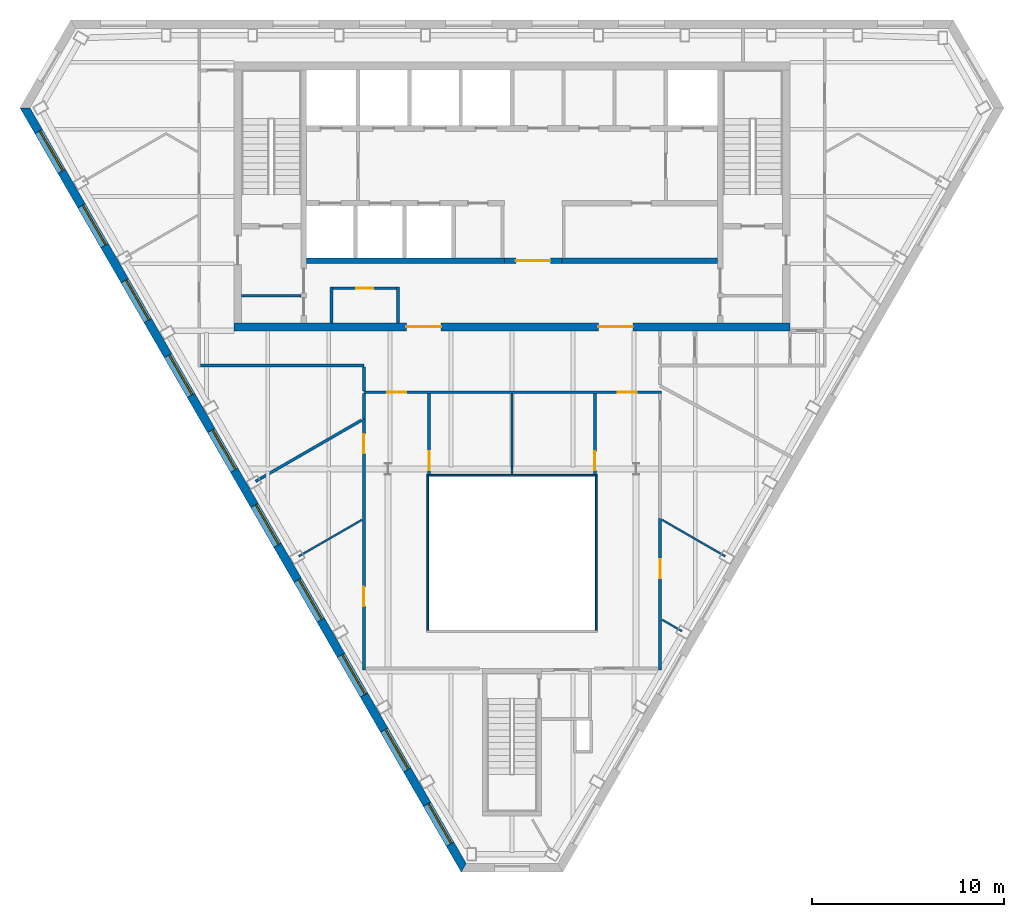
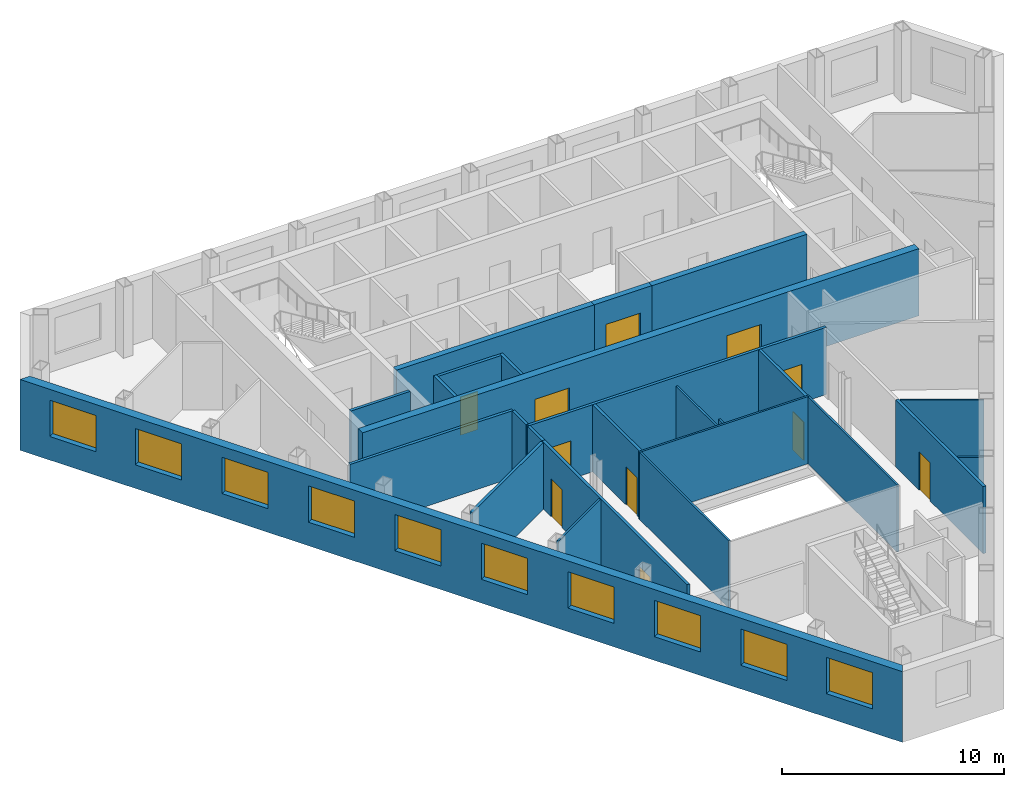
# One storey, part 4 of 10: 26 walls, 11 doors, 10 windows, 21 openings.
"""IFC4 building model written with IfcOpenShell, lengths in metres."""

from ifc_helpers import new_model, si_unit, direction, frame, frame_2d, origin, place, context, subcontext, project, spatial, polyline, rectangle, outline, extrude, material, layer, layer_set, type_object, element, fill, save


model = new_model("IFC4")

# Units and contexts
model_context = context("Model", 3, precision=1e-05, world=origin(), true_north=direction((0.0, 1.0)))
body_context = subcontext(model_context, "Body", "Model", "MODEL_VIEW")
ifc_project = project(units=[si_unit("LENGTHUNIT", "METRE"), si_unit("AREAUNIT", "SQUARE_METRE"), si_unit("VOLUMEUNIT", "CUBIC_METRE"), si_unit("PLANEANGLEUNIT", "RADIAN"), si_unit("MASSUNIT", "GRAM", prefix="KILO")], contexts=[model_context])

# Site, building, storey
site_placement = place(None, origin())
site = spatial("IfcSite", under=ifc_project, at=site_placement, CompositionType="ELEMENT")
building_placement = place(site_placement, origin())
building = spatial("IfcBuilding", under=site, at=building_placement, Name="Njiva Tower", CompositionType="ELEMENT")
storey_placement = place(building_placement, frame((0.0, 0.0, 284.4)))
storey = spatial("IfcBuildingStorey", under=building, at=storey_placement, Name="L65", CompositionType="ELEMENT", Elevation=284.4)

# Walls
ifc_material_1 = material(Name="Blockwork", Category="masonry")
ifc_layer_1 = layer(ifc_material_1, 0.15)
ifc_layer_set_1 = layer_set([ifc_layer_1], Name="Blockwork")
wall_type_1 = type_object("IfcWallType", Name="WT1 Compartment partition 150", PredefinedType="PARTITIONING", material=ifc_layer_set_1)
wall_1_placement = place(storey_placement, frame((-14.1, 5.825, 0.0), z_axis=(0.0, 0.0, 1.0), x_axis=(1.0, 0.0, 0.0)))
element("IfcWall", 1, at=wall_1_placement, inside=storey, type_object=wall_type_1, Name="Room wall A", PredefinedType="PARTITIONING", context=body_context, shape_type="SweptSolid", body=[
    extrude(rectangle(XDim=3.1, YDim=0.15, at=frame_2d((1.55, 0.0))), origin(), (0.0, 0.0, 1.0), 3.7),
])
for number, where, z_axis, x_axis, name in (
    (2, (-9.4, 4.4, 0.0), (0.0, 0.0, 1.0), (0.0, 1.0, 0.0), "Parcel room wall west"),
    (3, (-5.95, 4.4, 0.0), (0.0, 0.0, 1.0), (0.0, 1.0, 0.0), "Parcel room wall east"),
):
    element("IfcWall", number, at=place(storey_placement, frame(where, z_axis=z_axis, x_axis=x_axis)), inside=storey, type_object=wall_type_1, Name=name, PredefinedType="PARTITIONING", context=body_context, shape_type="SweptSolid", body=[
        extrude(rectangle(XDim=1.895, YDim=0.15, at=frame_2d((0.9475, 0.0))), origin(), (0.0, 0.0, 1.0), 3.7),
    ])

# Wall, opening, door
wall_2_placement = place(storey_placement, frame((-9.325, 6.22, 0.0), z_axis=(0.0, 0.0, 1.0), x_axis=(1.0, 0.0, 0.0)))
wall_2 = element("IfcWall", 4, at=wall_2_placement, inside=storey, type_object=wall_type_1, Name="Parcel room wall north", PredefinedType="PARTITIONING", context=body_context, shape_type="SweptSolid", body=[
    extrude(rectangle(XDim=3.3, YDim=0.15, at=frame_2d((1.65, 0.0))), origin(), (0.0, 0.0, 1.0), 3.7),
])
opening_1_placement = place(wall_2_placement, frame((1.2, 0.0, 0.0)))
opening_1 = element("IfcOpeningElement", 5, at=opening_1_placement, cuts=wall_2, Name="Opening S21-D924", PredefinedType="OPENING", context=body_context, shape_type="SweptSolid", body=[
    extrude(rectangle(XDim=0.9, YDim=2.1, at=frame_2d((0.45, 1.05))), frame((0.0, 0.085, 0.0), z_axis=(0.0, -1.0, 0.0), x_axis=(1.0, 0.0, 0.0)), (0.0, 0.0, 1.0), 0.17),
])
ifc_material_2 = material(Name="Steel fire door, painted", Category="steel")
door_type_1 = type_object("IfcDoorType", Name="D6 Fire-rated door 900x2100", OperationType="SINGLE_SWING_LEFT", PredefinedType="DOOR", material=ifc_material_2)
door_1_placement = place(opening_1_placement, origin())
door_1 = element("IfcDoor", 6, at=door_1_placement, inside=storey, type_object=door_type_1, Name="Parcel room door", OperationType="SINGLE_SWING_RIGHT", OverallHeight=2.1, OverallWidth=0.9, PredefinedType="DOOR", context=body_context, shape_type="SweptSolid", body=[
    extrude(rectangle(XDim=0.9, YDim=2.1, at=frame_2d((0.45, 1.05))), frame((0.0, 0.025, 0.0), z_axis=(0.0, -1.0, 0.0), x_axis=(1.0, 0.0, 0.0)), (0.0, 0.0, 1.0), 0.05),
])
fill(opening_1, door_1)

# Wall, openings, doors
ifc_material_3 = material(Name="Concrete C60/75", Category="concrete")
ifc_layer_2 = layer(ifc_material_3, 0.4)
ifc_layer_set_2 = layer_set([ifc_layer_2], Name="Concrete C60/75")
wall_type_2 = type_object("IfcWallType", Name="WT11 Core wall 400", PredefinedType="SHEAR", material=ifc_layer_set_2)
wall_3_placement = place(storey_placement, frame((-14.5, 4.2, 0.0), z_axis=(0.0, 0.0, 1.0), x_axis=(1.0, 0.0, 0.0)))
wall_3 = element("IfcWall", 7, at=wall_3_placement, inside=storey, type_object=wall_type_2, Name="Core wall south", PredefinedType="SHEAR", context=body_context, shape_type="SweptSolid", body=[
    extrude(rectangle(XDim=29.0, YDim=0.4, at=frame_2d((14.5, 0.0))), origin(), (0.0, 0.0, 1.0), 3.7),
])
opening_2_placement = place(wall_3_placement, frame((9.0, 0.0, 0.0)))
opening_2 = element("IfcOpeningElement", 8, at=opening_2_placement, cuts=wall_3, Name="Opening S21-D926", PredefinedType="OPENING", context=body_context, shape_type="SweptSolid", body=[
    extrude(rectangle(XDim=1.8, YDim=2.4, at=frame_2d((0.9, 1.2))), frame((0.0, 0.21, 0.0), z_axis=(0.0, -1.0, 0.0), x_axis=(1.0, 0.0, 0.0)), (0.0, 0.0, 1.0), 0.42),
])
opening_3_placement = place(wall_3_placement, frame((19.0, 0.0, 0.0)))
opening_3 = element("IfcOpeningElement", 9, at=opening_3_placement, cuts=wall_3, Name="Opening S21-D927", PredefinedType="OPENING", context=body_context, shape_type="SweptSolid", body=[
    extrude(rectangle(XDim=1.8, YDim=2.4, at=frame_2d((0.9, 1.2))), frame((0.0, 0.21, 0.0), z_axis=(0.0, -1.0, 0.0), x_axis=(1.0, 0.0, 0.0)), (0.0, 0.0, 1.0), 0.42),
])
ifc_material_4 = material(Name="Steel and glass door", Category="steel")
door_type_2 = type_object("IfcDoorType", Name="D3 Core entrance door 1800x2400", OperationType="DOUBLE_DOOR_SINGLE_SWING", PredefinedType="DOOR", material=ifc_material_4)
door_2_placement = place(opening_2_placement, origin())
door_2 = element("IfcDoor", 10, at=door_2_placement, inside=storey, type_object=door_type_2, Name="Core entrance door", OperationType="DOUBLE_DOOR_SINGLE_SWING", OverallHeight=2.4, OverallWidth=1.8, PredefinedType="DOOR", context=body_context, shape_type="SweptSolid", body=[
    extrude(rectangle(XDim=1.8, YDim=2.4, at=frame_2d((0.9, 1.2))), frame((0.0, 0.025, 0.0), z_axis=(0.0, -1.0, 0.0), x_axis=(1.0, 0.0, 0.0)), (0.0, 0.0, 1.0), 0.05),
])
fill(opening_2, door_2)
door_3_placement = place(opening_3_placement, origin())
door_3 = element("IfcDoor", 11, at=door_3_placement, inside=storey, type_object=door_type_2, Name="Core entrance door", OperationType="DOUBLE_DOOR_SINGLE_SWING", OverallHeight=2.4, OverallWidth=1.8, PredefinedType="DOOR", context=body_context, shape_type="SweptSolid", body=[
    extrude(rectangle(XDim=1.8, YDim=2.4, at=frame_2d((0.9, 1.2))), frame((0.0, 0.025, 0.0), z_axis=(0.0, -1.0, 0.0), x_axis=(1.0, 0.0, 0.0)), (0.0, 0.0, 1.0), 0.05),
])
fill(opening_3, door_3)

# Walls
ifc_material_5 = material(Name="Gypsum board on steel studs", Category="gypsum")
ifc_layer_3 = layer(ifc_material_5, 0.1)
ifc_layer_set_3 = layer_set([ifc_layer_3], Name="Gypsum board on steel studs")
wall_type_3 = type_object("IfcWallType", Name="WT20 Gypsum partition 100", PredefinedType="PARTITIONING", material=ifc_layer_set_3)
wall_4_placement = place(storey_placement, frame((-11.112, -7.753, 0.0), z_axis=(0.0, 0.0, 1.0), x_axis=(0.86609797283, 0.499874285655, 0.0)))
element("IfcWall", 12, at=wall_4_placement, inside=storey, type_object=wall_type_3, Name="Partition S21-P009", PredefinedType="PARTITIONING", context=body_context, shape_type="SweptSolid", body=[
    extrude(rectangle(XDim=3.801, YDim=0.1, at=frame_2d((1.9005, 0.0))), origin(), (0.0, 0.0, 1.0), 3.7),
])
wall_5_placement = place(storey_placement, frame((-0.001, 0.725, 0.0), z_axis=(0.0, 0.0, 1.0), x_axis=(0.000235294111, -0.999999972318, 0.0)))
element("IfcWall", 13, at=wall_5_placement, inside=storey, type_object=wall_type_3, Name="Partition S21-P016", PredefinedType="PARTITIONING", context=body_context, shape_type="SweptSolid", body=[
    extrude(rectangle(XDim=3.825, YDim=0.1, at=frame_2d((1.9125, 0.0))), origin(), (0.0, 0.0, 1.0), 3.2),
])
wall_6_placement = place(storey_placement, frame((-0.0001, -3.1, 0.0), z_axis=(0.0, 0.0, 1.0), x_axis=(0.000263157886, -0.999999965374, 0.0)))
element("IfcWall", 14, at=wall_6_placement, inside=storey, type_object=wall_type_3, Name="Partition S21-P016A", PredefinedType="PARTITIONING", context=body_context, shape_type="SweptSolid", body=[
    extrude(rectangle(XDim=0.38, YDim=0.1, at=frame_2d((0.19, 0.0))), origin(), (0.0, 0.0, 1.0), 3.7),
])
wall_7_placement = place(storey_placement, frame((7.82, -5.852, 0.0), z_axis=(0.0, 0.0, 1.0), x_axis=(0.865984062371, -0.500071598593, 0.0)))
element("IfcWall", 15, at=wall_7_placement, inside=storey, type_object=wall_type_3, Name="Partition S21-P026", PredefinedType="PARTITIONING", context=body_context, shape_type="SweptSolid", body=[
    extrude(rectangle(XDim=3.8015, YDim=0.1, at=frame_2d((1.9008, 0.0))), origin(), (0.0, 0.0, 1.0), 3.7),
])
wall_8_placement = place(storey_placement, frame((7.82, -11.058, 0.0), z_axis=(0.0, 0.0, 1.0), x_axis=(0.866130014302, -0.499818765479, 0.0)))
element("IfcWall", 16, at=wall_8_placement, inside=storey, type_object=wall_type_3, Name="Partition S21-P027", PredefinedType="PARTITIONING", context=body_context, shape_type="SweptSolid", body=[
    extrude(rectangle(XDim=1.1984, YDim=0.1, at=frame_2d((0.5992, 0.0))), origin(), (0.0, 0.0, 1.0), 3.7),
])
ifc_layer_4 = layer(ifc_material_5, 0.15)
ifc_layer_set_4 = layer_set([ifc_layer_4], Name="Gypsum board on steel studs")
wall_type_4 = type_object("IfcWallType", Name="WT21 Compartment wall 150", PredefinedType="PARTITIONING", material=ifc_layer_set_4)
wall_9_placement = place(storey_placement, frame((-16.225, 2.2, 0.0), z_axis=(0.0, 0.0, 1.0), x_axis=(1.0, 0.0, 0.0)))
element("IfcWall", 17, at=wall_9_placement, inside=storey, type_object=wall_type_4, Name="Partition S21-P006", PredefinedType="PARTITIONING", context=body_context, shape_type="SweptSolid", body=[
    extrude(rectangle(XDim=8.503, YDim=0.15, at=frame_2d((4.2515, 0.0))), origin(), (0.0, 0.0, 1.0), 3.7),
])
wall_10_placement = place(storey_placement, frame((-13.366, -3.85, 0.0), z_axis=(0.0, 0.0, 1.0), x_axis=(0.865990094875, 0.500061151839, 0.0)))
element("IfcWall", 18, at=wall_10_placement, inside=storey, type_object=wall_type_4, Name="Partition S21-P008", PredefinedType="PARTITIONING", context=body_context, shape_type="SweptSolid", body=[
    extrude(rectangle(XDim=6.3892, YDim=0.15, at=frame_2d((3.1946, 0.0))), origin(), (0.0, 0.0, 1.0), 3.7),
])

# Wall, openings, doors
wall_11_placement = place(storey_placement, frame((-7.72, -13.675, 0.0), z_axis=(0.0, 0.0, 1.0), x_axis=(0.0, 1.0, 0.0)))
wall_11 = element("IfcWall", 19, at=wall_11_placement, inside=storey, type_object=wall_type_4, Name="Partition S21-P010", PredefinedType="PARTITIONING", context=body_context, shape_type="SweptSolid", body=[
    extrude(rectangle(XDim=13.085, YDim=0.15, at=frame_2d((6.5425, 0.0))), origin(), (0.0, 0.0, 1.0), 3.7),
])
opening_4_placement = place(wall_11_placement, frame((3.327, 0.0, 0.0)))
opening_4 = element("IfcOpeningElement", 20, at=opening_4_placement, cuts=wall_11, Name="Opening S21-D005", PredefinedType="OPENING", context=body_context, shape_type="SweptSolid", body=[
    extrude(rectangle(XDim=1.0, YDim=2.1, at=frame_2d((0.5, 1.05))), frame((0.0, 0.085, 0.0), z_axis=(0.0, -1.0, 0.0), x_axis=(1.0, 0.0, 0.0)), (0.0, 0.0, 1.0), 0.17),
])
opening_5_placement = place(wall_11_placement, frame((11.284, 0.0, 0.0)))
opening_5 = element("IfcOpeningElement", 21, at=opening_5_placement, cuts=wall_11, Name="Opening S21-D006", PredefinedType="OPENING", context=body_context, shape_type="SweptSolid", body=[
    extrude(rectangle(XDim=1.0, YDim=2.1, at=frame_2d((0.5, 1.05))), frame((0.0, 0.085, 0.0), z_axis=(0.0, -1.0, 0.0), x_axis=(1.0, 0.0, 0.0)), (0.0, 0.0, 1.0), 0.17),
])
ifc_material_6 = material(Name="Steel fire door set", Category="steel")
door_type_3 = type_object("IfcDoorType", Name="D37 Fire door 1000x2100", OperationType="SINGLE_SWING_LEFT", PredefinedType="DOOR", material=ifc_material_6)
door_4_placement = place(opening_4_placement, origin())
door_4 = element("IfcDoor", 22, at=door_4_placement, inside=storey, type_object=door_type_3, Name="Door S21-D005", OperationType="SINGLE_SWING_RIGHT", OverallHeight=2.1, OverallWidth=1.0, PredefinedType="DOOR", context=body_context, shape_type="SweptSolid", body=[
    extrude(rectangle(XDim=1.0, YDim=2.1, at=frame_2d((0.5, 1.05))), frame((0.0, 0.025, 0.0), z_axis=(0.0, -1.0, 0.0), x_axis=(1.0, 0.0, 0.0)), (0.0, 0.0, 1.0), 0.05),
])
fill(opening_4, door_4)
door_5_placement = place(opening_5_placement, origin())
door_5 = element("IfcDoor", 23, at=door_5_placement, inside=storey, type_object=door_type_3, Name="Door S21-D006", OperationType="SINGLE_SWING_LEFT", OverallHeight=2.1, OverallWidth=1.0, PredefinedType="DOOR", context=body_context, shape_type="SweptSolid", body=[
    extrude(rectangle(XDim=1.0, YDim=2.1, at=frame_2d((0.5, 1.05))), frame((0.0, 0.025, 0.0), z_axis=(0.0, -1.0, 0.0), x_axis=(1.0, 0.0, 0.0)), (0.0, 0.0, 1.0), 0.05),
])
fill(opening_5, door_5)

# Wall
wall_12_placement = place(storey_placement, frame((-7.72, -0.588, 0.0), z_axis=(0.0, 0.0, 1.0), x_axis=(0.0, 1.0, 0.0)))
element("IfcWall", 24, at=wall_12_placement, inside=storey, type_object=wall_type_4, Name="Partition S21-P011", PredefinedType="PARTITIONING", context=body_context, shape_type="SweptSolid", body=[
    extrude(rectangle(XDim=1.313, YDim=0.15, at=frame_2d((0.6565, 0.0))), origin(), (0.0, 0.0, 1.0), 3.7),
])

# Wall, openings, doors
wall_13_placement = place(storey_placement, frame((-7.72, 0.8, 0.0), z_axis=(0.0, 0.0, 1.0), x_axis=(1.0, 0.0, 0.0)))
wall_13 = element("IfcWall", 25, at=wall_13_placement, inside=storey, type_object=wall_type_4, Name="Partition S21-P012", PredefinedType="PARTITIONING", context=body_context, shape_type="SweptSolid", body=[
    extrude(rectangle(XDim=15.515, YDim=0.15, at=frame_2d((7.7575, 0.0))), origin(), (0.0, 0.0, 1.0), 3.7),
])
opening_6_placement = place(wall_13_placement, frame((1.206, 0.0, 0.0)))
opening_6 = element("IfcOpeningElement", 26, at=opening_6_placement, cuts=wall_13, Name="Opening S21-D007", PredefinedType="OPENING", context=body_context, shape_type="SweptSolid", body=[
    extrude(rectangle(XDim=1.0, YDim=2.1, at=frame_2d((0.5, 1.05))), frame((0.0, 0.085, 0.0), z_axis=(0.0, -1.0, 0.0), x_axis=(1.0, 0.0, 0.0)), (0.0, 0.0, 1.0), 0.17),
])
opening_7_placement = place(wall_13_placement, frame((13.234, 0.0, 0.0)))
opening_7 = element("IfcOpeningElement", 27, at=opening_7_placement, cuts=wall_13, Name="Opening S21-D008", PredefinedType="OPENING", context=body_context, shape_type="SweptSolid", body=[
    extrude(rectangle(XDim=1.0, YDim=2.1, at=frame_2d((0.5, 1.05))), frame((0.0, 0.085, 0.0), z_axis=(0.0, -1.0, 0.0), x_axis=(1.0, 0.0, 0.0)), (0.0, 0.0, 1.0), 0.17),
])
door_6_placement = place(opening_6_placement, origin())
door_6 = element("IfcDoor", 28, at=door_6_placement, inside=storey, type_object=door_type_3, Name="Door S21-D007", OperationType="SINGLE_SWING_RIGHT", OverallHeight=2.1, OverallWidth=1.0, PredefinedType="DOOR", context=body_context, shape_type="SweptSolid", body=[
    extrude(rectangle(XDim=1.0, YDim=2.1, at=frame_2d((0.5, 1.05))), frame((0.0, 0.025, 0.0), z_axis=(0.0, -1.0, 0.0), x_axis=(1.0, 0.0, 0.0)), (0.0, 0.0, 1.0), 0.05),
])
fill(opening_6, door_6)
door_7_placement = place(opening_7_placement, origin())
door_7 = element("IfcDoor", 29, at=door_7_placement, inside=storey, type_object=door_type_3, Name="Door S21-D008", OperationType="SINGLE_SWING_LEFT", OverallHeight=2.1, OverallWidth=1.0, PredefinedType="DOOR", context=body_context, shape_type="SweptSolid", body=[
    extrude(rectangle(XDim=1.0, YDim=2.1, at=frame_2d((0.5, 1.05))), frame((0.0, 0.025, 0.0), z_axis=(0.0, -1.0, 0.0), x_axis=(1.0, 0.0, 0.0)), (0.0, 0.0, 1.0), 0.05),
])
fill(opening_7, door_7)

# Wall
wall_14_placement = place(storey_placement, frame((-7.72, 0.875, 0.0), z_axis=(0.0, 0.0, 1.0), x_axis=(0.0, 1.0, 0.0)))
element("IfcWall", 30, at=wall_14_placement, inside=storey, type_object=wall_type_4, Name="Partition S21-P013", PredefinedType="PARTITIONING", context=body_context, shape_type="SweptSolid", body=[
    extrude(rectangle(XDim=1.25, YDim=0.15, at=frame_2d((0.625, 0.0))), origin(), (0.0, 0.0, 1.0), 3.7),
])

# Wall, opening, door
wall_15_placement = place(storey_placement, frame((-4.32, -3.48, 0.0), z_axis=(0.0, 0.0, 1.0), x_axis=(0.0, 1.0, 0.0)))
wall_15 = element("IfcWall", 31, at=wall_15_placement, inside=storey, type_object=wall_type_4, Name="Partition S21-P015", PredefinedType="PARTITIONING", context=body_context, shape_type="SweptSolid", body=[
    extrude(rectangle(XDim=4.205, YDim=0.15, at=frame_2d((2.1025, 0.0))), origin(), (0.0, 0.0, 1.0), 3.7),
])
opening_8_placement = place(wall_15_placement, frame((0.2, 0.0, 0.0)))
opening_8 = element("IfcOpeningElement", 32, at=opening_8_placement, cuts=wall_15, Name="Opening S21-D009", PredefinedType="OPENING", context=body_context, shape_type="SweptSolid", body=[
    extrude(rectangle(XDim=1.0, YDim=2.1, at=frame_2d((0.5, 1.05))), frame((0.0, 0.085, 0.0), z_axis=(0.0, -1.0, 0.0), x_axis=(1.0, 0.0, 0.0)), (0.0, 0.0, 1.0), 0.17),
])
door_8_placement = place(opening_8_placement, origin())
door_8 = element("IfcDoor", 33, at=door_8_placement, inside=storey, type_object=door_type_3, Name="Door S21-D009", OperationType="SINGLE_SWING_LEFT", OverallHeight=2.1, OverallWidth=1.0, PredefinedType="DOOR", context=body_context, shape_type="SweptSolid", body=[
    extrude(rectangle(XDim=1.0, YDim=2.1, at=frame_2d((0.5, 1.05))), frame((0.0, 0.025, 0.0), z_axis=(0.0, -1.0, 0.0), x_axis=(1.0, 0.0, 0.0)), (0.0, 0.0, 1.0), 0.05),
])
fill(opening_8, door_8)

wall_16_placement = place(storey_placement, frame((4.319, 0.725, 0.0), z_axis=(0.0, 0.0, 1.0), x_axis=(0.000237812122, -0.999999971723, 0.0)))
wall_16 = element("IfcWall", 34, at=wall_16_placement, inside=storey, type_object=wall_type_4, Name="Partition S21-P019", PredefinedType="PARTITIONING", context=body_context, shape_type="SweptSolid", body=[
    extrude(rectangle(XDim=4.205, YDim=0.15, at=frame_2d((2.1025, 0.0))), origin(), (0.0, 0.0, 1.0), 3.7),
])
opening_9_placement = place(wall_16_placement, frame((3.005, 0.0, 0.0)))
opening_9 = element("IfcOpeningElement", 35, at=opening_9_placement, cuts=wall_16, Name="Opening S21-D011", PredefinedType="OPENING", context=body_context, shape_type="SweptSolid", body=[
    extrude(rectangle(XDim=1.0, YDim=2.1, at=frame_2d((0.5, 1.05))), frame((0.0, 0.085, 0.0), z_axis=(0.0, -1.0, 0.0), x_axis=(1.0, 0.0, 0.0)), (0.0, 0.0, 1.0), 0.17),
])
door_9_placement = place(opening_9_placement, origin())
door_9 = element("IfcDoor", 36, at=door_9_placement, inside=storey, type_object=door_type_3, Name="Door S21-D011", OperationType="SINGLE_SWING_RIGHT", OverallHeight=2.1, OverallWidth=1.0, PredefinedType="DOOR", context=body_context, shape_type="SweptSolid", body=[
    extrude(rectangle(XDim=1.0, YDim=2.1, at=frame_2d((0.5, 1.05))), frame((0.0, 0.025, 0.0), z_axis=(0.0, -1.0, 0.0), x_axis=(1.0, 0.0, 0.0)), (0.0, 0.0, 1.0), 0.05),
])
fill(opening_9, door_9)

wall_17_placement = place(storey_placement, frame((7.72, -13.675, 0.0), z_axis=(0.0, 0.0, 1.0), x_axis=(0.0, 1.0, 0.0)))
wall_17 = element("IfcWall", 37, at=wall_17_placement, inside=storey, type_object=wall_type_4, Name="Partition S21-P020", PredefinedType="PARTITIONING", context=body_context, shape_type="SweptSolid", body=[
    extrude(rectangle(XDim=7.892, YDim=0.15, at=frame_2d((3.946, 0.0))), origin(), (0.0, 0.0, 1.0), 3.7),
])
opening_10_placement = place(wall_17_placement, frame((4.777, 0.0, 0.0)))
opening_10 = element("IfcOpeningElement", 38, at=opening_10_placement, cuts=wall_17, Name="Opening S21-D012", PredefinedType="OPENING", context=body_context, shape_type="SweptSolid", body=[
    extrude(rectangle(XDim=1.0, YDim=2.1, at=frame_2d((0.5, 1.05))), frame((0.0, 0.085, 0.0), z_axis=(0.0, -1.0, 0.0), x_axis=(1.0, 0.0, 0.0)), (0.0, 0.0, 1.0), 0.17),
])
door_10_placement = place(opening_10_placement, origin())
door_10 = element("IfcDoor", 39, at=door_10_placement, inside=storey, type_object=door_type_3, Name="Door S21-D012", OperationType="SINGLE_SWING_RIGHT", OverallHeight=2.1, OverallWidth=1.0, PredefinedType="DOOR", context=body_context, shape_type="SweptSolid", body=[
    extrude(rectangle(XDim=1.0, YDim=2.1, at=frame_2d((0.5, 1.05))), frame((0.0, 0.025, 0.0), z_axis=(0.0, -1.0, 0.0), x_axis=(1.0, 0.0, 0.0)), (0.0, 0.0, 1.0), 0.05),
])
fill(opening_10, door_10)

ifc_layer_5 = layer(ifc_material_1, 0.3)
ifc_layer_set_5 = layer_set([ifc_layer_5], Name="Blockwork")
wall_type_5 = type_object("IfcWallType", Name="WT5 Lobby partition 300", PredefinedType="PARTITIONING", material=ifc_layer_set_5)
wall_18_placement = place(storey_placement, frame((-0.4, 7.65, 0.0), z_axis=(0.0, 0.0, 1.0), x_axis=(1.0, 0.0, 0.0)))
wall_18 = element("IfcWall", 40, at=wall_18_placement, inside=storey, type_object=wall_type_5, Name="Lift lobby screen wall", PredefinedType="PARTITIONING", context=body_context, shape_type="SweptSolid", body=[
    extrude(rectangle(XDim=3.0, YDim=0.3, at=frame_2d((1.5, 0.0))), origin(), (0.0, 0.0, 1.0), 3.7),
])
opening_11_placement = place(wall_18_placement, frame((0.6, 0.0, 0.0)))
opening_11 = element("IfcOpeningElement", 41, at=opening_11_placement, cuts=wall_18, Name="Opening S21-D925", PredefinedType="OPENING", context=body_context, shape_type="SweptSolid", body=[
    extrude(rectangle(XDim=1.8, YDim=2.4, at=frame_2d((0.9, 1.2))), frame((0.0, 0.16, 0.0), z_axis=(0.0, -1.0, 0.0), x_axis=(1.0, 0.0, 0.0)), (0.0, 0.0, 1.0), 0.32),
])
door_11_placement = place(opening_11_placement, origin())
door_11 = element("IfcDoor", 42, at=door_11_placement, inside=storey, type_object=door_type_2, Name="Core entrance door", OperationType="DOUBLE_DOOR_SINGLE_SWING", OverallHeight=2.4, OverallWidth=1.8, PredefinedType="DOOR", context=body_context, shape_type="SweptSolid", body=[
    extrude(rectangle(XDim=1.8, YDim=2.4, at=frame_2d((0.9, 1.2))), frame((0.0, 0.025, 0.0), z_axis=(0.0, -1.0, 0.0), x_axis=(1.0, 0.0, 0.0)), (0.0, 0.0, 1.0), 0.05),
])
fill(opening_11, door_11)

# Walls
ifc_material_7 = material(Name="Concrete C40/50", Category="concrete")
ifc_layer_6 = layer(ifc_material_7, 0.3)
ifc_layer_set_6 = layer_set([ifc_layer_6], Name="Concrete C40/50")
wall_type_6 = type_object("IfcWallType", Name="WT7 Lift shaft wall 300", PredefinedType="SHEAR", material=ifc_layer_set_6)
wall_19_placement = place(storey_placement, frame((-10.7, 7.65, 0.0), z_axis=(0.0, 0.0, 1.0), x_axis=(1.0, 0.0, 0.0)))
element("IfcWall", 43, at=wall_19_placement, inside=storey, type_object=wall_type_6, Name="Shaft wall south row back W", PredefinedType="SHEAR", context=body_context, shape_type="SweptSolid", body=[
    extrude(rectangle(XDim=10.3, YDim=0.3, at=frame_2d((5.15, 0.0))), origin(), (0.0, 0.0, 1.0), 3.7),
])
wall_20_placement = place(storey_placement, frame((2.6, 7.65, 0.0), z_axis=(0.0, 0.0, 1.0), x_axis=(1.0, 0.0, 0.0)))
element("IfcWall", 44, at=wall_20_placement, inside=storey, type_object=wall_type_6, Name="Shaft wall south row back E", PredefinedType="SHEAR", context=body_context, shape_type="SweptSolid", body=[
    extrude(rectangle(XDim=8.1, YDim=0.3, at=frame_2d((4.05, 0.0))), origin(), (0.0, 0.0, 1.0), 3.7),
])

# Wall, openings, windows
ifc_material_8 = material(Name="Brick masonry", Category="masonry")
ifc_layer_7 = layer(ifc_material_8, 0.45)
ifc_layer_set_7 = layer_set([ifc_layer_7], Name="Brick masonry")
wall_type_7 = type_object("IfcWallType", Name="WT90 Brick pier and spandrel wall 450", PredefinedType="SOLIDWALL", material=ifc_layer_set_7)
wall_21_placement = place(storey_placement, frame((-25.3852, 15.6187, -0.4), z_axis=(0.0, 0.0, 1.0), x_axis=(0.500000711659, -0.866024992908, 0.0)))
wall_21 = element("IfcWall", 45, at=wall_21_placement, inside=storey, type_object=wall_type_7, Name="Facade wall SW", PredefinedType="SOLIDWALL", context=body_context, shape_type="SweptSolid", body=[
    extrude(outline(polyline([(-0.1299, -0.225), (45.87, -0.225), (45.6102, 0.225), (0.1299, 0.225), (-0.1299, -0.225)])), origin(), (0.0, 0.0, 1.0), 3.9),
])
opening_12_placement = place(wall_21_placement, frame((1.4242, 0.0, 1.3)))
opening_12 = element("IfcOpeningElement", 46, at=opening_12_placement, cuts=wall_21, Name="Opening S21-W09", PredefinedType="OPENING", context=body_context, shape_type="SweptSolid", body=[
    extrude(rectangle(XDim=2.4, YDim=2.0, at=frame_2d((1.2, 1.0))), frame((0.0, 0.235, 0.0), z_axis=(0.0, -1.0, 0.0), x_axis=(1.0, 0.0, 0.0)), (0.0, 0.0, 1.0), 0.47),
])
opening_13_placement = place(wall_21_placement, frame((5.8934, 0.0, 1.3)))
opening_13 = element("IfcOpeningElement", 47, at=opening_13_placement, cuts=wall_21, Name="Opening S21-W10", PredefinedType="OPENING", context=body_context, shape_type="SweptSolid", body=[
    extrude(rectangle(XDim=2.4, YDim=2.0, at=frame_2d((1.2, 1.0))), frame((0.0, 0.235, 0.0), z_axis=(0.0, -1.0, 0.0), x_axis=(1.0, 0.0, 0.0)), (0.0, 0.0, 1.0), 0.47),
])
opening_14_placement = place(wall_21_placement, frame((10.401, 0.0, 1.3)))
opening_14 = element("IfcOpeningElement", 48, at=opening_14_placement, cuts=wall_21, Name="Opening S21-W11", PredefinedType="OPENING", context=body_context, shape_type="SweptSolid", body=[
    extrude(rectangle(XDim=2.4, YDim=2.0, at=frame_2d((1.2, 1.0))), frame((0.0, 0.235, 0.0), z_axis=(0.0, -1.0, 0.0), x_axis=(1.0, 0.0, 0.0)), (0.0, 0.0, 1.0), 0.47),
])
opening_15_placement = place(wall_21_placement, frame((14.9087, 0.0, 1.3)))
opening_15 = element("IfcOpeningElement", 49, at=opening_15_placement, cuts=wall_21, Name="Opening S21-W12", PredefinedType="OPENING", context=body_context, shape_type="SweptSolid", body=[
    extrude(rectangle(XDim=2.4, YDim=2.0, at=frame_2d((1.2, 1.0))), frame((0.0, 0.235, 0.0), z_axis=(0.0, -1.0, 0.0), x_axis=(1.0, 0.0, 0.0)), (0.0, 0.0, 1.0), 0.47),
])
opening_16_placement = place(wall_21_placement, frame((19.4163, 0.0, 1.3)))
opening_16 = element("IfcOpeningElement", 50, at=opening_16_placement, cuts=wall_21, Name="Opening S21-W13", PredefinedType="OPENING", context=body_context, shape_type="SweptSolid", body=[
    extrude(rectangle(XDim=2.4, YDim=2.0, at=frame_2d((1.2, 1.0))), frame((0.0, 0.235, 0.0), z_axis=(0.0, -1.0, 0.0), x_axis=(1.0, 0.0, 0.0)), (0.0, 0.0, 1.0), 0.47),
])
opening_17_placement = place(wall_21_placement, frame((23.9239, 0.0, 1.3)))
opening_17 = element("IfcOpeningElement", 51, at=opening_17_placement, cuts=wall_21, Name="Opening S21-W14", PredefinedType="OPENING", context=body_context, shape_type="SweptSolid", body=[
    extrude(rectangle(XDim=2.4, YDim=2.0, at=frame_2d((1.2, 1.0))), frame((0.0, 0.235, 0.0), z_axis=(0.0, -1.0, 0.0), x_axis=(1.0, 0.0, 0.0)), (0.0, 0.0, 1.0), 0.47),
])
opening_18_placement = place(wall_21_placement, frame((28.4315, 0.0, 1.3)))
opening_18 = element("IfcOpeningElement", 52, at=opening_18_placement, cuts=wall_21, Name="Opening S21-W15", PredefinedType="OPENING", context=body_context, shape_type="SweptSolid", body=[
    extrude(rectangle(XDim=2.4, YDim=2.0, at=frame_2d((1.2, 1.0))), frame((0.0, 0.235, 0.0), z_axis=(0.0, -1.0, 0.0), x_axis=(1.0, 0.0, 0.0)), (0.0, 0.0, 1.0), 0.47),
])
opening_19_placement = place(wall_21_placement, frame((32.9391, 0.0, 1.3)))
opening_19 = element("IfcOpeningElement", 53, at=opening_19_placement, cuts=wall_21, Name="Opening S21-W16", PredefinedType="OPENING", context=body_context, shape_type="SweptSolid", body=[
    extrude(rectangle(XDim=2.4, YDim=2.0, at=frame_2d((1.2, 1.0))), frame((0.0, 0.235, 0.0), z_axis=(0.0, -1.0, 0.0), x_axis=(1.0, 0.0, 0.0)), (0.0, 0.0, 1.0), 0.47),
])
opening_20_placement = place(wall_21_placement, frame((37.4468, 0.0, 1.3)))
opening_20 = element("IfcOpeningElement", 54, at=opening_20_placement, cuts=wall_21, Name="Opening S21-W17", PredefinedType="OPENING", context=body_context, shape_type="SweptSolid", body=[
    extrude(rectangle(XDim=2.4, YDim=2.0, at=frame_2d((1.2, 1.0))), frame((0.0, 0.235, 0.0), z_axis=(0.0, -1.0, 0.0), x_axis=(1.0, 0.0, 0.0)), (0.0, 0.0, 1.0), 0.47),
])
opening_21_placement = place(wall_21_placement, frame((41.916, 0.0, 1.3)))
opening_21 = element("IfcOpeningElement", 55, at=opening_21_placement, cuts=wall_21, Name="Opening S21-W18", PredefinedType="OPENING", context=body_context, shape_type="SweptSolid", body=[
    extrude(rectangle(XDim=2.4, YDim=2.0, at=frame_2d((1.2, 1.0))), frame((0.0, 0.235, 0.0), z_axis=(0.0, -1.0, 0.0), x_axis=(1.0, 0.0, 0.0)), (0.0, 0.0, 1.0), 0.47),
])
ifc_material_9 = material(Name="Clear glazing in aluminium frame", Category="aluminium")
window_type = type_object("IfcWindowType", Name="W90 Deep-set window 2400x2000", PartitioningType="SINGLE_PANEL", PredefinedType="WINDOW", material=ifc_material_9)
window_1_placement = place(opening_12_placement, origin())
window_1 = element("IfcWindow", 56, at=window_1_placement, inside=storey, type_object=window_type, Name="Window", OverallHeight=2.0, OverallWidth=2.4, PartitioningType="SINGLE_PANEL", PredefinedType="WINDOW", context=body_context, shape_type="SweptSolid", body=[
    extrude(rectangle(XDim=2.4, YDim=2.0, at=frame_2d((1.2, 1.0))), frame((0.0, 0.105, 0.0), z_axis=(0.0, -1.0, 0.0), x_axis=(1.0, 0.0, 0.0)), (0.0, 0.0, 1.0), 0.06),
])
fill(opening_12, window_1)
window_2_placement = place(opening_13_placement, origin())
window_2 = element("IfcWindow", 57, at=window_2_placement, inside=storey, type_object=window_type, Name="Window", OverallHeight=2.0, OverallWidth=2.4, PartitioningType="SINGLE_PANEL", PredefinedType="WINDOW", context=body_context, shape_type="SweptSolid", body=[
    extrude(rectangle(XDim=2.4, YDim=2.0, at=frame_2d((1.2, 1.0))), frame((0.0, 0.105, 0.0), z_axis=(0.0, -1.0, 0.0), x_axis=(1.0, 0.0, 0.0)), (0.0, 0.0, 1.0), 0.06),
])
fill(opening_13, window_2)
window_3_placement = place(opening_14_placement, origin())
window_3 = element("IfcWindow", 58, at=window_3_placement, inside=storey, type_object=window_type, Name="Window", OverallHeight=2.0, OverallWidth=2.4, PartitioningType="SINGLE_PANEL", PredefinedType="WINDOW", context=body_context, shape_type="SweptSolid", body=[
    extrude(rectangle(XDim=2.4, YDim=2.0, at=frame_2d((1.2, 1.0))), frame((0.0, 0.105, 0.0), z_axis=(0.0, -1.0, 0.0), x_axis=(1.0, 0.0, 0.0)), (0.0, 0.0, 1.0), 0.06),
])
fill(opening_14, window_3)
window_4_placement = place(opening_15_placement, origin())
window_4 = element("IfcWindow", 59, at=window_4_placement, inside=storey, type_object=window_type, Name="Window", OverallHeight=2.0, OverallWidth=2.4, PartitioningType="SINGLE_PANEL", PredefinedType="WINDOW", context=body_context, shape_type="SweptSolid", body=[
    extrude(rectangle(XDim=2.4, YDim=2.0, at=frame_2d((1.2, 1.0))), frame((0.0, 0.105, 0.0), z_axis=(0.0, -1.0, 0.0), x_axis=(1.0, 0.0, 0.0)), (0.0, 0.0, 1.0), 0.06),
])
fill(opening_15, window_4)
window_5_placement = place(opening_16_placement, origin())
window_5 = element("IfcWindow", 60, at=window_5_placement, inside=storey, type_object=window_type, Name="Window", OverallHeight=2.0, OverallWidth=2.4, PartitioningType="SINGLE_PANEL", PredefinedType="WINDOW", context=body_context, shape_type="SweptSolid", body=[
    extrude(rectangle(XDim=2.4, YDim=2.0, at=frame_2d((1.2, 1.0))), frame((0.0, 0.105, 0.0), z_axis=(0.0, -1.0, 0.0), x_axis=(1.0, 0.0, 0.0)), (0.0, 0.0, 1.0), 0.06),
])
fill(opening_16, window_5)
window_6_placement = place(opening_17_placement, origin())
window_6 = element("IfcWindow", 61, at=window_6_placement, inside=storey, type_object=window_type, Name="Window", OverallHeight=2.0, OverallWidth=2.4, PartitioningType="SINGLE_PANEL", PredefinedType="WINDOW", context=body_context, shape_type="SweptSolid", body=[
    extrude(rectangle(XDim=2.4, YDim=2.0, at=frame_2d((1.2, 1.0))), frame((0.0, 0.105, 0.0), z_axis=(0.0, -1.0, 0.0), x_axis=(1.0, 0.0, 0.0)), (0.0, 0.0, 1.0), 0.06),
])
fill(opening_17, window_6)
window_7_placement = place(opening_18_placement, origin())
window_7 = element("IfcWindow", 62, at=window_7_placement, inside=storey, type_object=window_type, Name="Window", OverallHeight=2.0, OverallWidth=2.4, PartitioningType="SINGLE_PANEL", PredefinedType="WINDOW", context=body_context, shape_type="SweptSolid", body=[
    extrude(rectangle(XDim=2.4, YDim=2.0, at=frame_2d((1.2, 1.0))), frame((0.0, 0.105, 0.0), z_axis=(0.0, -1.0, 0.0), x_axis=(1.0, 0.0, 0.0)), (0.0, 0.0, 1.0), 0.06),
])
fill(opening_18, window_7)
window_8_placement = place(opening_19_placement, origin())
window_8 = element("IfcWindow", 63, at=window_8_placement, inside=storey, type_object=window_type, Name="Window", OverallHeight=2.0, OverallWidth=2.4, PartitioningType="SINGLE_PANEL", PredefinedType="WINDOW", context=body_context, shape_type="SweptSolid", body=[
    extrude(rectangle(XDim=2.4, YDim=2.0, at=frame_2d((1.2, 1.0))), frame((0.0, 0.105, 0.0), z_axis=(0.0, -1.0, 0.0), x_axis=(1.0, 0.0, 0.0)), (0.0, 0.0, 1.0), 0.06),
])
fill(opening_19, window_8)
window_9_placement = place(opening_20_placement, origin())
window_9 = element("IfcWindow", 64, at=window_9_placement, inside=storey, type_object=window_type, Name="Window", OverallHeight=2.0, OverallWidth=2.4, PartitioningType="SINGLE_PANEL", PredefinedType="WINDOW", context=body_context, shape_type="SweptSolid", body=[
    extrude(rectangle(XDim=2.4, YDim=2.0, at=frame_2d((1.2, 1.0))), frame((0.0, 0.105, 0.0), z_axis=(0.0, -1.0, 0.0), x_axis=(1.0, 0.0, 0.0)), (0.0, 0.0, 1.0), 0.06),
])
fill(opening_20, window_9)
window_10_placement = place(opening_21_placement, origin())
window_10 = element("IfcWindow", 65, at=window_10_placement, inside=storey, type_object=window_type, Name="Window", OverallHeight=2.0, OverallWidth=2.4, PartitioningType="SINGLE_PANEL", PredefinedType="WINDOW", context=body_context, shape_type="SweptSolid", body=[
    extrude(rectangle(XDim=2.4, YDim=2.0, at=frame_2d((1.2, 1.0))), frame((0.0, 0.105, 0.0), z_axis=(0.0, -1.0, 0.0), x_axis=(1.0, 0.0, 0.0)), (0.0, 0.0, 1.0), 0.06),
])
fill(opening_21, window_10)

# Walls
ifc_material_10 = material(Name="Fire-resisting glazing EI 90", Category="glass")
ifc_layer_8 = layer(ifc_material_10, 0.1)
ifc_layer_set_8 = layer_set([ifc_layer_8], Name="Fire-resisting glazing EI 90")
wall_type_8 = type_object("IfcWallType", Name="WT95 Fire-resisting glazed screen EI 90", PredefinedType="PARTITIONING", material=ifc_layer_set_8)
wall_22_placement = place(storey_placement, frame((4.39, -11.62, 0.0), z_axis=(0.0, 0.0, 1.0), x_axis=(0.0, 1.0, 0.0)))
element("IfcWall", 66, at=wall_22_placement, inside=storey, type_object=wall_type_8, Name="Atrium fire screen east", PredefinedType="PARTITIONING", context=body_context, shape_type="SweptSolid", body=[
    extrude(rectangle(XDim=8.04, YDim=0.1, at=frame_2d((4.02, 0.0))), origin(), (0.0, 0.0, 1.0), 3.7),
])
wall_23_placement = place(storey_placement, frame((4.44, -3.53, 0.0), z_axis=(0.0, 0.0, 1.0), x_axis=(-1.0, 0.0, 0.0)))
element("IfcWall", 67, at=wall_23_placement, inside=storey, type_object=wall_type_8, Name="Atrium fire screen north", PredefinedType="PARTITIONING", context=body_context, shape_type="SweptSolid", body=[
    extrude(rectangle(XDim=8.88, YDim=0.1, at=frame_2d((4.44, 0.0))), origin(), (0.0, 0.0, 1.0), 3.7),
])
wall_24_placement = place(storey_placement, frame((-4.39, -3.58, 0.0), z_axis=(0.0, 0.0, 1.0), x_axis=(0.0, -1.0, 0.0)))
element("IfcWall", 68, at=wall_24_placement, inside=storey, type_object=wall_type_8, Name="Atrium fire screen west", PredefinedType="PARTITIONING", context=body_context, shape_type="SweptSolid", body=[
    extrude(rectangle(XDim=8.04, YDim=0.1, at=frame_2d((4.02, 0.0))), origin(), (0.0, 0.0, 1.0), 3.7),
])

save(model, "model.ifc")
